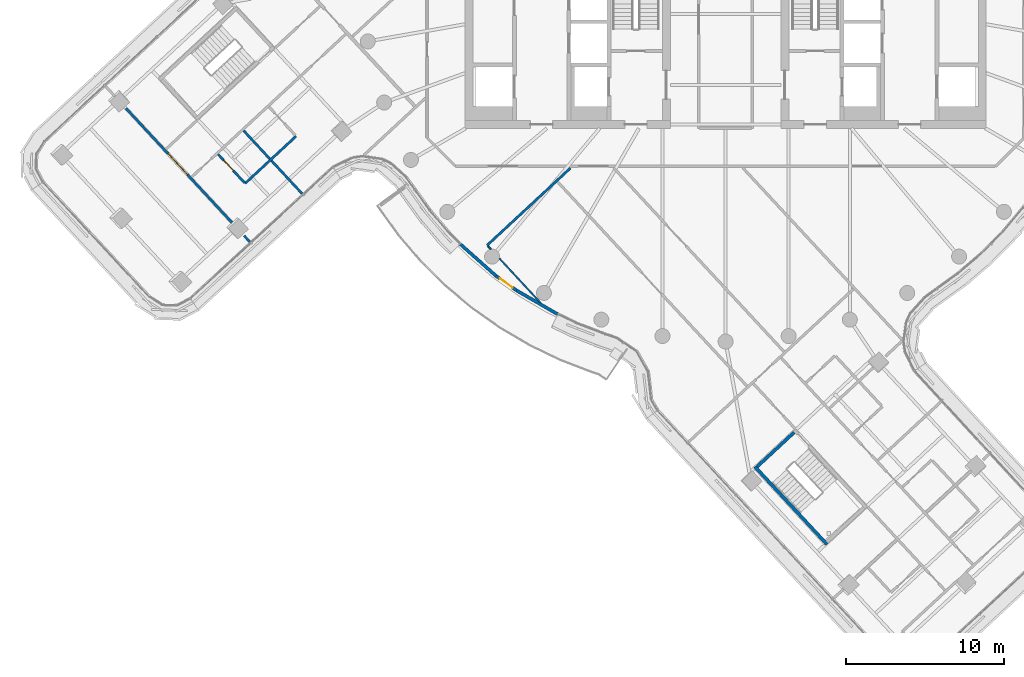
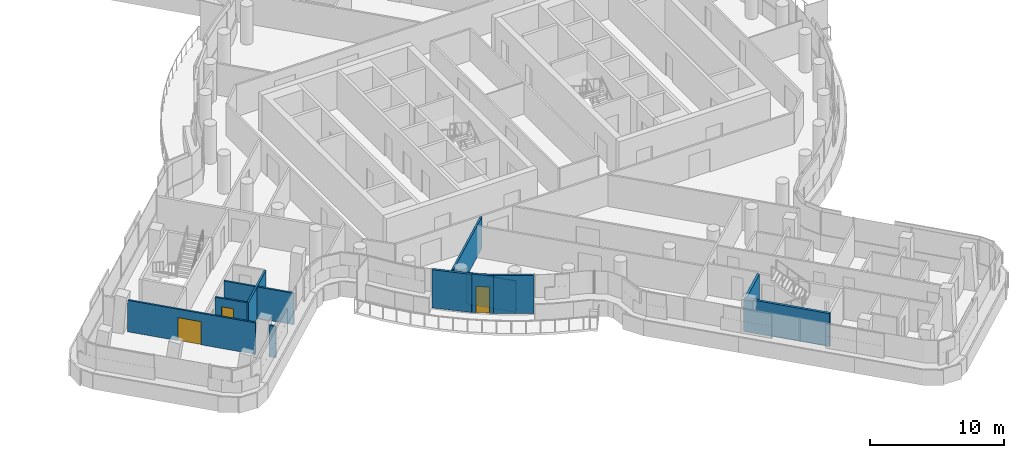
# One storey, part 20 of 34: 13 walls, 3 doors, 3 openings.
"""IFC4 building model written with IfcOpenShell, lengths in metres."""

from ifc_helpers import new_model, si_unit, direction, frame, frame_2d, origin, place, context, subcontext, project, spatial, rectangle, extrude, material, layer, layer_set, type_object, element, fill, save


model = new_model("IFC4")

# Units and contexts
model_context = context("Model", 3, precision=1e-05, world=origin(), true_north=direction((0.0, 1.0)))
body_context = subcontext(model_context, "Body", "Model", "MODEL_VIEW")
ifc_project = project(units=[si_unit("LENGTHUNIT", "METRE"), si_unit("AREAUNIT", "SQUARE_METRE"), si_unit("VOLUMEUNIT", "CUBIC_METRE"), si_unit("PLANEANGLEUNIT", "RADIAN"), si_unit("MASSUNIT", "GRAM", prefix="KILO")], contexts=[model_context])

# Site, building, storey
site_placement = place(None, origin())
site = spatial("IfcSite", under=ifc_project, at=site_placement, CompositionType="ELEMENT")
building_placement = place(site_placement, origin())
building = spatial("IfcBuilding", under=site, at=building_placement, Name="Tamarind Cross Interchange Tower", CompositionType="ELEMENT")
storey_placement = place(building_placement, frame((0.0, 0.0, 189.699951171875)))
storey = spatial("IfcBuildingStorey", under=building, at=storey_placement, Name="L47", CompositionType="ELEMENT", Elevation=189.699951171875)

# Walls
ifc_material_1 = material(Name="Concrete C40", Category="concrete")
ifc_layer_1 = layer(ifc_material_1, 0.199951171875)
ifc_layer_set_1 = layer_set([ifc_layer_1], Name="Concrete C40")
wall_type_1 = type_object("IfcWallType", Name="Balcony and garden door wall", PredefinedType="SOLIDWALL", material=ifc_layer_set_1)
wall_1_placement = place(storey_placement, frame((-16.7939453125, -16.829833984375, 0.0), z_axis=(0.0, 0.0, 1.0), x_axis=(0.746918793399, -0.664915269841, 0.0)))
element("IfcWall", 1, at=wall_1_placement, inside=storey, type_object=wall_type_1, Name="EXW-L47-10-D02L", PredefinedType="SOLIDWALL", context=body_context, shape_type="SweptSolid", body=[
    extrude(rectangle(XDim=3.02197265625, YDim=0.199951171875, at=frame_2d((1.510986328125, 0.0))), origin(), (0.0, 0.0, 1.0), 3.4599609375),
])
wall_2_placement = place(storey_placement, frame((-13.230712890625, -19.763427734375, 0.0), z_axis=(0.0, 0.0, 1.0), x_axis=(0.865619895442, -0.500701704226, 0.0)))
element("IfcWall", 2, at=wall_2_placement, inside=storey, type_object=wall_type_1, Name="EXW-L47-10-D02R", PredefinedType="SOLIDWALL", context=body_context, shape_type="SweptSolid", body=[
    extrude(rectangle(XDim=3.020751953125, YDim=0.199951171875, at=frame_2d((1.51025390625, 0.0))), origin(), (0.0, 0.0, 1.0), 3.4599609375),
])

# Wall, opening, door
wall_3_placement = place(storey_placement, frame((-14.536865234375, -18.839111328125, 0.0), z_axis=(0.0, 0.0, 1.0), x_axis=(0.816282280001, -0.577653217212, 0.0)))
wall_3 = element("IfcWall", 3, at=wall_3_placement, inside=storey, type_object=wall_type_1, Name="EXW-L47-10-D02", PredefinedType="SOLIDWALL", context=body_context, shape_type="SweptSolid", body=[
    extrude(rectangle(XDim=1.60009765625, YDim=0.199951171875, at=frame_2d((0.800048828125, 0.0))), origin(), (0.0, 0.0, 1.0), 3.4599609375),
])
opening_1_placement = place(wall_3_placement, frame((0.300048828125, 0.0, 0.0)))
opening_1 = element("IfcOpeningElement", 4, at=opening_1_placement, cuts=wall_3, Name="Opening D2", PredefinedType="OPENING", context=body_context, shape_type="SweptSolid", body=[
    extrude(rectangle(XDim=1.0, YDim=2.39990234375, at=frame_2d((0.5, 1.199951171875))), frame((0.0, 0.10986328125, 0.0), z_axis=(0.0, -1.0, 0.0), x_axis=(1.0, 0.0, 0.0)), (0.0, 0.0, 1.0), 0.219970703125),
])
ifc_material_2 = material(Name="Aluminium and toughened glass", Category="aluminium")
door_type_1 = type_object("IfcDoorType", Name="Balcony and garden door", OperationType="SINGLE_SWING_LEFT", PredefinedType="DOOR", material=ifc_material_2)
door_1_placement = place(opening_1_placement, origin())
door_1 = element("IfcDoor", 5, at=door_1_placement, inside=storey, type_object=door_type_1, Name="DOR-L47-10-02", OperationType="SINGLE_SWING_LEFT", OverallHeight=2.39990234375, OverallWidth=1.0, PredefinedType="DOOR", context=body_context, shape_type="SweptSolid", body=[
    extrude(rectangle(XDim=1.0, YDim=2.39990234375, at=frame_2d((0.5, 1.199951171875))), frame((0.0, 0.02490234375, 0.0), z_axis=(0.0, -1.0, 0.0), x_axis=(1.0, 0.0, 0.0)), (0.0, 0.0, 1.0), 0.050048828125),
])
fill(opening_1, door_1)

# Walls
ifc_material_3 = material(Name="Gypsum board partition on steel studs", Category="steel")
ifc_layer_2 = layer(ifc_material_3, 0.10009765625)
ifc_layer_set_2 = layer_set([ifc_layer_2], Name="Gypsum board partition on steel studs")
wall_type_2 = type_object("IfcWallType", Name="Partition 100 mm EI 90", PredefinedType="PARTITIONING", material=ifc_layer_set_2)
wall_4_placement = place(storey_placement, frame((-15.041015625, -16.9560546875, 0.0), z_axis=(0.0, 0.0, 1.0), x_axis=(0.679895310154, -0.733309189381, 0.0)))
element("IfcWall", 6, at=wall_4_placement, inside=storey, type_object=wall_type_2, Name="Partition L47-009", PredefinedType="PARTITIONING", context=body_context, shape_type="SweptSolid", body=[
    extrude(rectangle(XDim=0.269775390625, YDim=0.10009765625, at=frame_2d((0.134765625, 0.0))), origin(), (0.0, 0.0, 1.0), 2.864013671875),
])
wall_5_placement = place(storey_placement, frame((-14.32763671875, -17.725341796875, 0.0), z_axis=(0.0, 0.0, 1.0), x_axis=(0.679978080858, -0.733232438966, 0.0)))
element("IfcWall", 7, at=wall_5_placement, inside=storey, type_object=wall_type_2, Name="Partition L47-010", PredefinedType="PARTITIONING", context=body_context, shape_type="SweptSolid", body=[
    extrude(rectangle(XDim=3.841796875, YDim=0.10009765625, at=frame_2d((1.9208984375, 0.0))), origin(), (0.0, 0.0, 1.0), 2.864013671875),
])

# Wall, opening, door
ifc_layer_3 = layer(ifc_material_3, 0.14990234375)
ifc_layer_set_3 = layer_set([ifc_layer_3], Name="Gypsum board partition on steel studs")
wall_type_3 = type_object("IfcWallType", Name="Partition 150 mm EI 120", PredefinedType="PARTITIONING", material=ifc_layer_set_3)
wall_6_placement = place(storey_placement, frame((-37.95751953125, -8.2333984375, 0.0), z_axis=(0.0, 0.0, 1.0), x_axis=(0.679878090563, -0.73332515433, 0.0)))
wall_6 = element("IfcWall", 8, at=wall_6_placement, inside=storey, type_object=wall_type_3, Name="Partition L47-002", PredefinedType="PARTITIONING", context=body_context, shape_type="SweptSolid", body=[
    extrude(rectangle(XDim=9.939697265625, YDim=0.14990234375, at=frame_2d((4.9697265625, 0.0))), origin(), (0.0, 0.0, 1.0), 2.864013671875),
])
opening_2_placement = place(wall_6_placement, frame((3.912353515625, 0.0, 0.0)))
opening_2 = element("IfcOpeningElement", 9, at=opening_2_placement, cuts=wall_6, Name="Opening D01", PredefinedType="OPENING", context=body_context, shape_type="SweptSolid", body=[
    extrude(rectangle(XDim=1.800048828125, YDim=2.10009765625, at=frame_2d((0.89990234375, 1.050048828125))), frame((0.0, 0.0849609375, 0.0), z_axis=(0.0, -1.0, 0.0), x_axis=(1.0, 0.0, 0.0)), (0.0, 0.0, 1.0), 0.169921875),
])
ifc_material_4 = material(Name="Fire-resisting door set")
door_type_2 = type_object("IfcDoorType", Name="Interior door 1800 x 2100 FD60S", OperationType="DOUBLE_DOOR_SINGLE_SWING", PredefinedType="DOOR", material=ifc_material_4)
door_2_placement = place(opening_2_placement, frame((1.800048828125, 0.0, 0.0), z_axis=(0.0, 0.0, 1.0), x_axis=(-1.0, 0.0, 0.0)))
door_2 = element("IfcDoor", 10, at=door_2_placement, inside=storey, type_object=door_type_2, Name="Door D01", OperationType="DOUBLE_DOOR_SINGLE_SWING", OverallHeight=2.10009765625, OverallWidth=1.800048828125, PredefinedType="DOOR", context=body_context, shape_type="SweptSolid", body=[
    extrude(rectangle(XDim=1.800048828125, YDim=2.10009765625, at=frame_2d((0.89990234375, 1.050048828125))), frame((0.0, 0.02490234375, 0.0), z_axis=(0.0, -1.0, 0.0), x_axis=(1.0, 0.0, 0.0)), (0.0, 0.0, 1.0), 0.050048828125),
])
fill(opening_2, door_2)

# Wall
wall_7_placement = place(storey_placement, frame((-30.476806640625, -16.302001953125, 0.0), z_axis=(0.0, 0.0, 1.0), x_axis=(0.679722110724, -0.733469735022, 0.0)))
element("IfcWall", 11, at=wall_7_placement, inside=storey, type_object=wall_type_3, Name="Partition L47-003", PredefinedType="PARTITIONING", context=body_context, shape_type="SweptSolid", body=[
    extrude(rectangle(XDim=0.52685546875, YDim=0.14990234375, at=frame_2d((0.263427734375, 0.0))), origin(), (0.0, 0.0, 1.0), 2.864013671875),
])

# Wall, opening, door
wall_8_placement = place(storey_placement, frame((-32.129638671875, -11.1376953125, 0.0), z_axis=(0.0, 0.0, 1.0), x_axis=(0.680077179027, -0.733140525798, 0.0)))
wall_8 = element("IfcWall", 12, at=wall_8_placement, inside=storey, type_object=wall_type_3, Name="Partition L47-004", PredefinedType="PARTITIONING", context=body_context, shape_type="SweptSolid", body=[
    extrude(rectangle(XDim=2.47998046875, YDim=0.14990234375, at=frame_2d((1.239990234375, 0.0))), origin(), (0.0, 0.0, 1.0), 2.864013671875),
])
opening_3_placement = place(wall_8_placement, frame((0.52001953125, 0.0, 0.0)))
opening_3 = element("IfcOpeningElement", 13, at=opening_3_placement, cuts=wall_8, Name="Opening D02", PredefinedType="OPENING", context=body_context, shape_type="SweptSolid", body=[
    extrude(rectangle(XDim=0.89990234375, YDim=2.10009765625, at=frame_2d((0.449951171875, 1.050048828125))), frame((0.0, 0.0849609375, 0.0), z_axis=(0.0, -1.0, 0.0), x_axis=(1.0, 0.0, 0.0)), (0.0, 0.0, 1.0), 0.169921875),
])
door_type_3 = type_object("IfcDoorType", Name="Interior door 900 x 2100 FD60S", OperationType="SINGLE_SWING_LEFT", PredefinedType="DOOR", material=ifc_material_4)
door_3_placement = place(opening_3_placement, origin())
door_3 = element("IfcDoor", 14, at=door_3_placement, inside=storey, type_object=door_type_3, Name="Door D02", OperationType="SINGLE_SWING_RIGHT", OverallHeight=2.10009765625, OverallWidth=0.89990234375, PredefinedType="DOOR", context=body_context, shape_type="SweptSolid", body=[
    extrude(rectangle(XDim=0.89990234375, YDim=2.10009765625, at=frame_2d((0.449951171875, 1.050048828125))), frame((0.0, 0.02490234375, 0.0), z_axis=(0.0, -1.0, 0.0), x_axis=(1.0, 0.0, 0.0)), (0.0, 0.0, 1.0), 0.050048828125),
])
fill(opening_3, door_3)

# Walls
wall_9_placement = place(storey_placement, frame((-30.515625, -9.6416015625, 0.0), z_axis=(0.0, 0.0, 1.0), x_axis=(0.680059477566, -0.733156945663, 0.0)))
element("IfcWall", 15, at=wall_9_placement, inside=storey, type_object=wall_type_3, Name="Partition L47-005", PredefinedType="PARTITIONING", context=body_context, shape_type="SweptSolid", body=[
    extrude(rectangle(XDim=5.453125, YDim=0.14990234375, at=frame_2d((2.7265625, 0.0))), origin(), (0.0, 0.0, 1.0), 2.864013671875),
])
wall_10_placement = place(storey_placement, frame((-30.416015625, -12.985107421875, 0.0), z_axis=(0.0, 0.0, 1.0), x_axis=(0.733397910427, 0.679799606488, 0.0)))
element("IfcWall", 16, at=wall_10_placement, inside=storey, type_object=wall_type_3, Name="Partition L47-047", PredefinedType="PARTITIONING", context=body_context, shape_type="SweptSolid", body=[
    extrude(rectangle(XDim=4.400146484375, YDim=0.14990234375, at=frame_2d((2.2001953125, 0.0))), origin(), (0.0, 0.0, 1.0), 2.864013671875),
])
wall_11_placement = place(storey_placement, frame((-15.092041015625, -16.90087890625, 0.0), z_axis=(0.0, 0.0, 1.0), x_axis=(0.733371254751, 0.67982836268, 0.0)))
element("IfcWall", 17, at=wall_11_placement, inside=storey, type_object=wall_type_3, Name="Partition L47-056", PredefinedType="PARTITIONING", context=body_context, shape_type="SweptSolid", body=[
    extrude(rectangle(XDim=7.190673828125, YDim=0.14990234375, at=frame_2d((3.59521484375, 0.0))), origin(), (0.0, 0.0, 1.0), 2.864013671875),
])
ifc_layer_4 = layer(ifc_material_1, 0.199951171875)
ifc_layer_set_4 = layer_set([ifc_layer_4], Name="Concrete C40")
wall_type_4 = type_object("IfcWallType", Name="Stair shaft wall 200 mm Concrete C40", PredefinedType="SHEAR", material=ifc_layer_set_4)
wall_12_placement = place(storey_placement, frame((1.856689453125, -30.915283203125, -0.139892578125), z_axis=(0.0, 0.0, 1.0), x_axis=(0.679931014329, -0.733276084264, 0.0)))
element("IfcWall", 18, at=wall_12_placement, inside=storey, type_object=wall_type_4, Name="Core wall CWL-L47-ST6-C", PredefinedType="SHEAR", context=body_context, shape_type="SweptSolid", body=[
    extrude(rectangle(XDim=6.7001953125, YDim=0.199951171875, at=frame_2d((3.35009765625, 0.0))), origin(), (0.0, 0.0, 1.0), 3.00390625),
])
wall_13_placement = place(storey_placement, frame((1.998291015625, -30.920654296875, -0.139892578125), z_axis=(0.0, 0.0, 1.0), x_axis=(0.733268848454, 0.679938817753, 0.0)))
element("IfcWall", 19, at=wall_13_placement, inside=storey, type_object=wall_type_4, Name="Core wall CWL-L47-ST6-CE", PredefinedType="SHEAR", context=body_context, shape_type="SweptSolid", body=[
    extrude(rectangle(XDim=3.199951171875, YDim=0.199951171875, at=frame_2d((1.60009765625, 0.0))), origin(), (0.0, 0.0, 1.0), 3.00390625),
])

save(model, "model.ifc")
